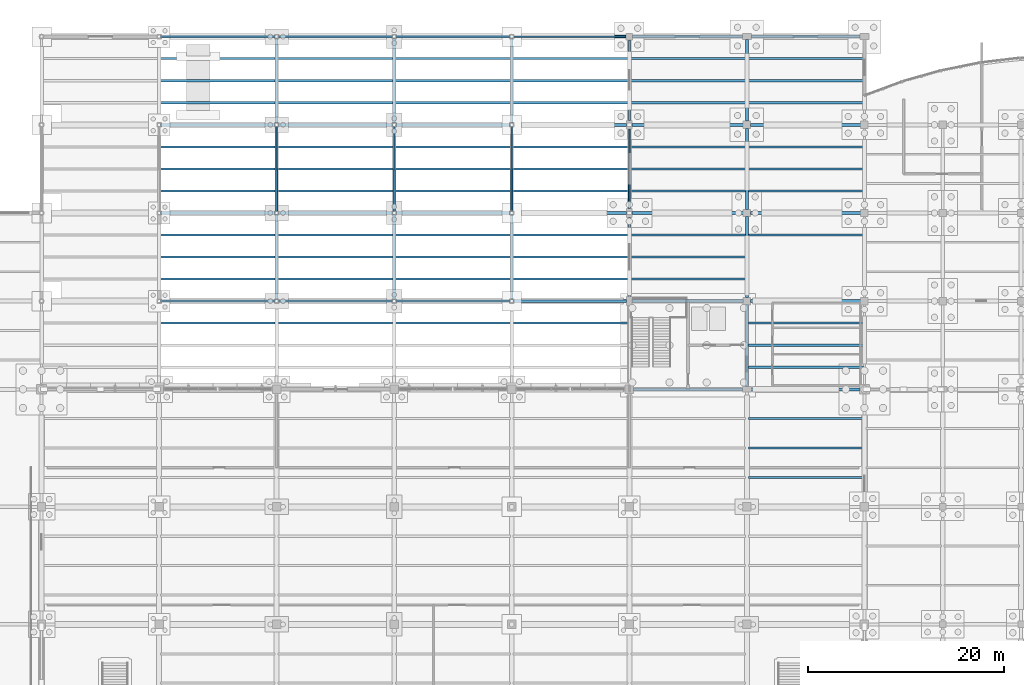
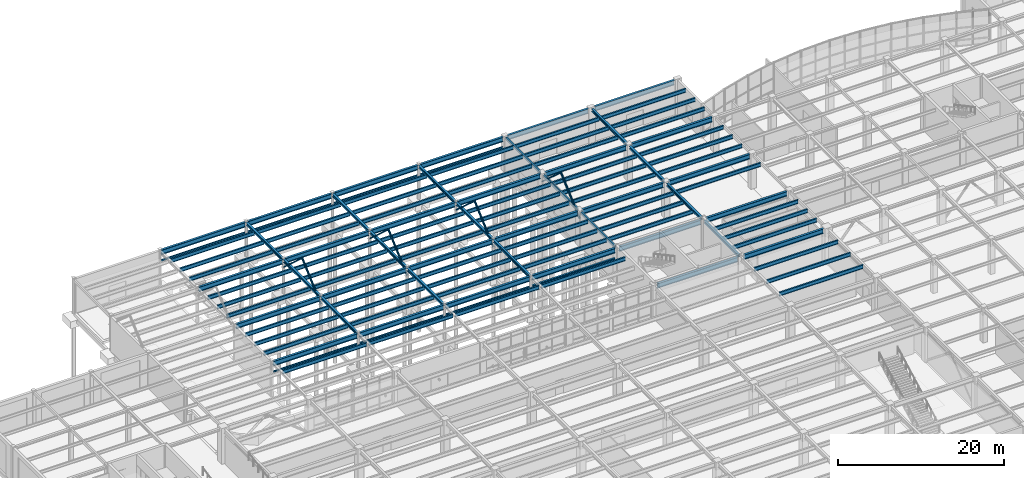
# One storey, part 40 of 85: 112 beams, 8 members.
"""IFC4 building model written with IfcOpenShell, lengths in metres."""

from ifc_helpers import new_model, si_unit, direction, frame, origin, origin_2d, place, context, subcontext, project, spatial, hollow_rectangle, hollow_circle, i_section, extrude, material, material_profile, profile_set, type_object, element, save


model = new_model("IFC4")

# Units and contexts
model_context = context("Model", 3, precision=1e-05, world=origin(), true_north=direction((0.0, 1.0)))
body_context = subcontext(model_context, "Body", "Model", "MODEL_VIEW")
ifc_project = project(units=[si_unit("LENGTHUNIT", "METRE"), si_unit("AREAUNIT", "SQUARE_METRE"), si_unit("VOLUMEUNIT", "CUBIC_METRE"), si_unit("PLANEANGLEUNIT", "RADIAN"), si_unit("MASSUNIT", "GRAM", prefix="KILO")], contexts=[model_context])

# Site, building, storey
site_placement = place(None, origin())
site = spatial("IfcSite", under=ifc_project, at=site_placement, CompositionType="ELEMENT")
building_placement = place(site_placement, origin())
building = spatial("IfcBuilding", under=site, at=building_placement, Name="Keelwater Ferry Terminal", CompositionType="ELEMENT")
storey_placement = place(building_placement, origin())
storey = spatial("IfcBuildingStorey", under=building, at=storey_placement, Name="L00", CompositionType="ELEMENT", Elevation=0.0)

# Beams
ifc_material_1 = material(Name="Steel S355", Category="steel")
ifc_material_profile_1 = material_profile(ifc_material_1, i_section(OverallWidth=0.300048828125, OverallDepth=0.699951171875, WebThickness=0.01708984375, FlangeThickness=0.031982421875, at=origin_2d()), Name="HEB 700")
ifc_profile_set_1 = profile_set([ifc_material_profile_1], Name="Steel S355")
beam_type_1 = type_object("IfcBeamType", Name="G2 HEB 700", PredefinedType="BEAM", material=ifc_profile_set_1)
for number, where, z_axis, x_axis, name in (
    (1, (60.1669921875, 117.0, 4.7099609375), (1.0, 0.0, 0.0), (0.0, 1.0, 0.0), "Beam BM-L00-0134"),
    (2, (72.1669921875, 117.0, 4.7099609375), (1.0, 0.0, 0.0), (0.0, 1.0, 0.0), "Beam BM-L00-0135"),
    (3, (84.1669921875, 117.0, 4.7099609375), (1.0, 0.0, 0.0), (0.0, 1.0, 0.0), "Beam BM-L00-0136"),
):
    element("IfcBeam", number, at=place(storey_placement, frame(where, z_axis=z_axis, x_axis=x_axis)), inside=storey, type_object=beam_type_1, Name=name, PredefinedType="BEAM", context=body_context, shape_type="SweptSolid", body=[
        extrude(i_section(OverallWidth=0.300048828125, OverallDepth=0.699951171875, WebThickness=0.01708984375, FlangeThickness=0.031982421875, at=origin_2d()), origin(), (0.0, 0.0, 1.0), 11.666015625),
    ])
beam_1_placement = place(storey_placement, frame((96.1669921875, 117.0, 4.7099609375), z_axis=(1.0, 0.0, 0.0), x_axis=(0.0, 1.0, 0.0)))
element("IfcBeam", 4, at=beam_1_placement, inside=storey, type_object=beam_type_1, Name="Beam BM-L00-0137", PredefinedType="BEAM", context=body_context, shape_type="SweptSolid", body=[
    extrude(i_section(OverallWidth=0.300048828125, OverallDepth=0.699951171875, WebThickness=0.01708984375, FlangeThickness=0.031982421875, at=origin_2d()), origin(), (0.0, 0.0, 1.0), 11.5390625),
])
beam_2_placement = place(storey_placement, frame((108.2939453125, 117.0, 4.7099609375), z_axis=(1.0, 0.0, 0.0), x_axis=(0.0, 1.0, 0.0)))
element("IfcBeam", 5, at=beam_2_placement, inside=storey, type_object=beam_type_1, Name="Beam BM-L00-0138", PredefinedType="BEAM", context=body_context, shape_type="SweptSolid", body=[
    extrude(i_section(OverallWidth=0.300048828125, OverallDepth=0.699951171875, WebThickness=0.01708984375, FlangeThickness=0.031982421875, at=origin_2d()), origin(), (0.0, 0.0, 1.0), 11.338134765625),
])
beam_3_placement = place(storey_placement, frame((120.367919921875, 117.0, 4.7099609375), z_axis=(1.0, 0.0, 0.0), x_axis=(0.0, 1.0, 0.0)))
element("IfcBeam", 6, at=beam_3_placement, inside=storey, type_object=beam_type_1, Name="Beam BM-L00-0139", PredefinedType="BEAM", context=body_context, shape_type="SweptSolid", body=[
    extrude(i_section(OverallWidth=0.300048828125, OverallDepth=0.699951171875, WebThickness=0.01708984375, FlangeThickness=0.031982421875, at=origin_2d()), origin(), (0.0, 0.0, 1.0), 11.26416015625),
])
ifc_material_2 = material(Name="Steel S355", Category="steel")
ifc_material_profile_2 = material_profile(ifc_material_2, i_section(OverallWidth=0.300048828125, OverallDepth=0.699951171875, WebThickness=0.01708984375, FlangeThickness=0.031982421875, at=origin_2d()), Name="HEB 700")
ifc_profile_set_2 = profile_set([ifc_material_profile_2], Name="Steel S355")
beam_type_2 = type_object("IfcBeamType", Name="G2E HEB 700", PredefinedType="BEAM", material=ifc_profile_set_2)
beam_4_placement = place(storey_placement, frame((108.416015625, 90.0, 4.7099609375), z_axis=(1.0, 0.0, 0.0), x_axis=(0.0, 1.0, 0.0)))
element("IfcBeam", 7, at=beam_4_placement, inside=storey, type_object=beam_type_2, Name="Beam BM-L00-0093", PredefinedType="BEAM", context=body_context, shape_type="SweptSolid", body=[
    extrude(i_section(OverallWidth=0.300048828125, OverallDepth=0.699951171875, WebThickness=0.01708984375, FlangeThickness=0.031982421875, at=origin_2d()), origin(), (0.0, 0.0, 1.0), 11.14306640625),
])
beam_5_placement = place(storey_placement, frame((120.44091796875, 90.0, 4.7099609375), z_axis=(1.0, 0.0, 0.0), x_axis=(0.0, 1.0, 0.0)))
element("IfcBeam", 8, at=beam_5_placement, inside=storey, type_object=beam_type_2, Name="Beam BM-L00-0094", PredefinedType="BEAM", context=body_context, shape_type="SweptSolid", body=[
    extrude(i_section(OverallWidth=0.300048828125, OverallDepth=0.699951171875, WebThickness=0.01708984375, FlangeThickness=0.031982421875, at=origin_2d()), origin(), (0.0, 0.0, 1.0), 11.069091796875),
])
for number, where, z_axis, x_axis, name in (
    (9, (60.1669921875, 99.0, 4.7099609375), (1.0, 0.0, 0.0), (0.0, 1.0, 0.0), "Beam BM-L00-0105"),
    (10, (72.1669921875, 99.0, 4.7099609375), (1.0, 0.0, 0.0), (0.0, 1.0, 0.0), "Beam BM-L00-0106"),
    (11, (84.1669921875, 99.0, 4.7099609375), (1.0, 0.0, 0.0), (0.0, 1.0, 0.0), "Beam BM-L00-0107"),
):
    element("IfcBeam", number, at=place(storey_placement, frame(where, z_axis=z_axis, x_axis=x_axis)), inside=storey, type_object=beam_type_2, Name=name, PredefinedType="BEAM", context=body_context, shape_type="SweptSolid", body=[
        extrude(i_section(OverallWidth=0.300048828125, OverallDepth=0.699951171875, WebThickness=0.01708984375, FlangeThickness=0.031982421875, at=origin_2d()), origin(), (0.0, 0.0, 1.0), 11.666015625),
    ])
beam_6_placement = place(storey_placement, frame((96.1669921875, 99.0, 4.7099609375), z_axis=(1.0, 0.0, 0.0), x_axis=(0.0, 1.0, 0.0)))
element("IfcBeam", 12, at=beam_6_placement, inside=storey, type_object=beam_type_2, Name="Beam BM-L00-0108", PredefinedType="BEAM", context=body_context, shape_type="SweptSolid", body=[
    extrude(i_section(OverallWidth=0.300048828125, OverallDepth=0.699951171875, WebThickness=0.01708984375, FlangeThickness=0.031982421875, at=origin_2d()), origin(), (0.0, 0.0, 1.0), 11.5390625),
])
beam_7_placement = place(storey_placement, frame((108.2939453125, 99.0, 4.7099609375), z_axis=(1.0, 0.0, 0.0), x_axis=(0.0, 1.0, 0.0)))
element("IfcBeam", 13, at=beam_7_placement, inside=storey, type_object=beam_type_2, Name="Beam BM-L00-0109", PredefinedType="BEAM", context=body_context, shape_type="SweptSolid", body=[
    extrude(i_section(OverallWidth=0.300048828125, OverallDepth=0.699951171875, WebThickness=0.01708984375, FlangeThickness=0.031982421875, at=origin_2d()), origin(), (0.0, 0.0, 1.0), 11.338134765625),
])
beam_8_placement = place(storey_placement, frame((120.367919921875, 99.0, 4.7099609375), z_axis=(1.0, 0.0, 0.0), x_axis=(0.0, 1.0, 0.0)))
element("IfcBeam", 14, at=beam_8_placement, inside=storey, type_object=beam_type_2, Name="Beam BM-L00-0110", PredefinedType="BEAM", context=body_context, shape_type="SweptSolid", body=[
    extrude(i_section(OverallWidth=0.300048828125, OverallDepth=0.699951171875, WebThickness=0.01708984375, FlangeThickness=0.031982421875, at=origin_2d()), origin(), (0.0, 0.0, 1.0), 11.26416015625),
])
for number, where, z_axis, x_axis, name in (
    (15, (60.1669921875, 108.0, 4.7099609375), (1.0, 0.0, 0.0), (0.0, 1.0, 0.0), "Beam BM-L00-0121"),
    (16, (72.1669921875, 108.0, 4.7099609375), (1.0, 0.0, 0.0), (0.0, 1.0, 0.0), "Beam BM-L00-0122"),
    (17, (84.1669921875, 108.0, 4.7099609375), (1.0, 0.0, 0.0), (0.0, 1.0, 0.0), "Beam BM-L00-0123"),
):
    element("IfcBeam", number, at=place(storey_placement, frame(where, z_axis=z_axis, x_axis=x_axis)), inside=storey, type_object=beam_type_2, Name=name, PredefinedType="BEAM", context=body_context, shape_type="SweptSolid", body=[
        extrude(i_section(OverallWidth=0.300048828125, OverallDepth=0.699951171875, WebThickness=0.01708984375, FlangeThickness=0.031982421875, at=origin_2d()), origin(), (0.0, 0.0, 1.0), 11.666015625),
    ])
beam_9_placement = place(storey_placement, frame((96.1669921875, 108.0, 4.7099609375), z_axis=(1.0, 0.0, 0.0), x_axis=(0.0, 1.0, 0.0)))
element("IfcBeam", 18, at=beam_9_placement, inside=storey, type_object=beam_type_2, Name="Beam BM-L00-0124", PredefinedType="BEAM", context=body_context, shape_type="SweptSolid", body=[
    extrude(i_section(OverallWidth=0.300048828125, OverallDepth=0.699951171875, WebThickness=0.01708984375, FlangeThickness=0.031982421875, at=origin_2d()), origin(), (0.0, 0.0, 1.0), 11.5390625),
])
beam_10_placement = place(storey_placement, frame((108.2939453125, 108.0, 4.7099609375), z_axis=(1.0, 0.0, 0.0), x_axis=(0.0, 1.0, 0.0)))
element("IfcBeam", 19, at=beam_10_placement, inside=storey, type_object=beam_type_2, Name="Beam BM-L00-0125", PredefinedType="BEAM", context=body_context, shape_type="SweptSolid", body=[
    extrude(i_section(OverallWidth=0.300048828125, OverallDepth=0.699951171875, WebThickness=0.01708984375, FlangeThickness=0.031982421875, at=origin_2d()), origin(), (0.0, 0.0, 1.0), 11.338134765625),
])
beam_11_placement = place(storey_placement, frame((120.367919921875, 108.0, 4.7099609375), z_axis=(1.0, 0.0, 0.0), x_axis=(0.0, 1.0, 0.0)))
element("IfcBeam", 20, at=beam_11_placement, inside=storey, type_object=beam_type_2, Name="Beam BM-L00-0126", PredefinedType="BEAM", context=body_context, shape_type="SweptSolid", body=[
    extrude(i_section(OverallWidth=0.300048828125, OverallDepth=0.699951171875, WebThickness=0.01708984375, FlangeThickness=0.031982421875, at=origin_2d()), origin(), (0.0, 0.0, 1.0), 11.26416015625),
])
for number, where, z_axis, x_axis, name in (
    (21, (60.1669921875, 126.0, 4.7099609375), (1.0, 0.0, 0.0), (0.0, 1.0, 0.0), "Beam BM-L00-0147"),
    (22, (72.1669921875, 126.0, 4.7099609375), (1.0, 0.0, 0.0), (0.0, 1.0, 0.0), "Beam BM-L00-0148"),
    (23, (84.1669921875, 126.0, 4.7099609375), (1.0, 0.0, 0.0), (0.0, 1.0, 0.0), "Beam BM-L00-0149"),
):
    element("IfcBeam", number, at=place(storey_placement, frame(where, z_axis=z_axis, x_axis=x_axis)), inside=storey, type_object=beam_type_2, Name=name, PredefinedType="BEAM", context=body_context, shape_type="SweptSolid", body=[
        extrude(i_section(OverallWidth=0.300048828125, OverallDepth=0.699951171875, WebThickness=0.01708984375, FlangeThickness=0.031982421875, at=origin_2d()), origin(), (0.0, 0.0, 1.0), 11.666015625),
    ])
beam_12_placement = place(storey_placement, frame((96.1669921875, 126.0, 4.7099609375), z_axis=(1.0, 0.0, 0.0), x_axis=(0.0, 1.0, 0.0)))
element("IfcBeam", 24, at=beam_12_placement, inside=storey, type_object=beam_type_2, Name="Beam BM-L00-0150", PredefinedType="BEAM", context=body_context, shape_type="SweptSolid", body=[
    extrude(i_section(OverallWidth=0.300048828125, OverallDepth=0.699951171875, WebThickness=0.01708984375, FlangeThickness=0.031982421875, at=origin_2d()), origin(), (0.0, 0.0, 1.0), 11.514892578125),
])
beam_13_placement = place(storey_placement, frame((108.318115234375, 126.0, 4.7099609375), z_axis=(1.0, 0.0, 0.0), x_axis=(0.0, 1.0, 0.0)))
element("IfcBeam", 25, at=beam_13_placement, inside=storey, type_object=beam_type_2, Name="Beam BM-L00-0151", PredefinedType="BEAM", context=body_context, shape_type="SweptSolid", body=[
    extrude(i_section(OverallWidth=0.300048828125, OverallDepth=0.699951171875, WebThickness=0.01708984375, FlangeThickness=0.031982421875, at=origin_2d()), origin(), (0.0, 0.0, 1.0), 11.240966796875),
])
beam_14_placement = place(storey_placement, frame((120.44091796875, 126.0, 4.7099609375), z_axis=(1.0, 0.0, 0.0), x_axis=(0.0, 1.0, 0.0)))
element("IfcBeam", 26, at=beam_14_placement, inside=storey, type_object=beam_type_2, Name="Beam BM-L00-0152", PredefinedType="BEAM", context=body_context, shape_type="SweptSolid", body=[
    extrude(i_section(OverallWidth=0.300048828125, OverallDepth=0.699951171875, WebThickness=0.01708984375, FlangeThickness=0.031982421875, at=origin_2d()), origin(), (0.0, 0.0, 1.0), 11.1181640625),
])
ifc_material_3 = material(Name="Steel S355", Category="steel")
ifc_material_profile_3 = material_profile(ifc_material_3, i_section(OverallWidth=0.300048828125, OverallDepth=0.39990234375, WebThickness=0.013427734375, FlangeThickness=0.02392578125, at=origin_2d()), Name="HEB 400")
ifc_profile_set_3 = profile_set([ifc_material_profile_3], Name="Steel S355")
beam_type_3 = type_object("IfcBeamType", Name="G7 HEB 400", PredefinedType="BEAM", material=ifc_profile_set_3)
for number, where, z_axis, x_axis, name in (
    (27, (72.0, 99.1669921875, 4.860107421875), (0.0, 1.0, 0.0), (-1.0, 0.0, 0.0), "Beam BM-L00-0209"),
    (28, (72.0, 108.1669921875, 4.860107421875), (0.0, 1.0, 0.0), (-1.0, 0.0, 0.0), "Beam BM-L00-0210"),
    (29, (72.0, 117.1669921875, 4.860107421875), (0.0, 1.0, 0.0), (-1.0, 0.0, 0.0), "Beam BM-L00-0211"),
    (30, (84.0, 99.1669921875, 4.860107421875), (0.0, 1.0, 0.0), (-1.0, 0.0, 0.0), "Beam BM-L00-0217"),
    (31, (84.0, 108.1669921875, 4.860107421875), (0.0, 1.0, 0.0), (-1.0, 0.0, 0.0), "Beam BM-L00-0218"),
    (32, (84.0, 117.1669921875, 4.860107421875), (0.0, 1.0, 0.0), (-1.0, 0.0, 0.0), "Beam BM-L00-0219"),
    (33, (96.0, 99.1669921875, 4.860107421875), (0.0, 1.0, 0.0), (-1.0, 0.0, 0.0), "Beam BM-L00-0225"),
    (34, (96.0, 108.1669921875, 4.860107421875), (0.0, 1.0, 0.0), (-1.0, 0.0, 0.0), "Beam BM-L00-0226"),
    (35, (96.0, 117.1669921875, 4.860107421875), (0.0, 1.0, 0.0), (-1.0, 0.0, 0.0), "Beam BM-L00-0227"),
):
    element("IfcBeam", number, at=place(storey_placement, frame(where, z_axis=z_axis, x_axis=x_axis)), inside=storey, type_object=beam_type_3, Name=name, PredefinedType="BEAM", context=body_context, shape_type="SweptSolid", body=[
        extrude(i_section(OverallWidth=0.300048828125, OverallDepth=0.39990234375, WebThickness=0.013427734375, FlangeThickness=0.02392578125, at=origin_2d()), origin(), (0.0, 0.0, 1.0), 8.666015625),
    ])
beam_15_placement = place(storey_placement, frame((120.0, 90.2939453125, 4.860107421875), z_axis=(0.0, 1.0, 0.0), x_axis=(-1.0, 0.0, 0.0)))
element("IfcBeam", 36, at=beam_15_placement, inside=storey, type_object=beam_type_3, Name="Beam BM-L00-0240", PredefinedType="BEAM", context=body_context, shape_type="SweptSolid", body=[
    extrude(i_section(OverallWidth=0.300048828125, OverallDepth=0.39990234375, WebThickness=0.013427734375, FlangeThickness=0.02392578125, at=origin_2d()), origin(), (0.0, 0.0, 1.0), 8.338134765625),
])
for number, where, z_axis, x_axis, name in (
    (37, (120.0, 99.367919921875, 4.860107421875), (0.0, 1.0, 0.0), (-1.0, 0.0, 0.0), "Beam BM-L00-0241"),
    (38, (120.0, 108.367919921875, 4.860107421875), (0.0, 1.0, 0.0), (-1.0, 0.0, 0.0), "Beam BM-L00-0242"),
):
    element("IfcBeam", number, at=place(storey_placement, frame(where, z_axis=z_axis, x_axis=x_axis)), inside=storey, type_object=beam_type_3, Name=name, PredefinedType="BEAM", context=body_context, shape_type="SweptSolid", body=[
        extrude(i_section(OverallWidth=0.300048828125, OverallDepth=0.39990234375, WebThickness=0.013427734375, FlangeThickness=0.02392578125, at=origin_2d()), origin(), (0.0, 0.0, 1.0), 8.26416015625),
    ])
beam_16_placement = place(storey_placement, frame((120.0, 117.367919921875, 4.860107421875), z_axis=(0.0, 1.0, 0.0), x_axis=(-1.0, 0.0, 0.0)))
element("IfcBeam", 39, at=beam_16_placement, inside=storey, type_object=beam_type_3, Name="Beam BM-L00-0243", PredefinedType="BEAM", context=body_context, shape_type="SweptSolid", body=[
    extrude(i_section(OverallWidth=0.300048828125, OverallDepth=0.39990234375, WebThickness=0.013427734375, FlangeThickness=0.02392578125, at=origin_2d()), origin(), (0.0, 0.0, 1.0), 8.338134765625),
])
ifc_material_4 = material(Name="Steel S355", Category="steel")
ifc_material_profile_4 = material_profile(ifc_material_4, i_section(OverallWidth=0.2099609375, OverallDepth=0.550048828125, WebThickness=0.010986328125, FlangeThickness=0.01708984375, at=origin_2d()), Name="IPE 550")
ifc_profile_set_4 = profile_set([ifc_material_profile_4], Name="Steel S355")
beam_type_4 = type_object("IfcBeamType", Name="J2 IPE 550", PredefinedType="JOIST", material=ifc_profile_set_4)
for number, where, z_axis, x_axis, name in (
    (40, (60.14990234375, 96.75, 4.784912109375), (1.0, 0.0, 0.0), (0.0, 1.0, 0.0), "Beam BM-L00-0380"),
    (41, (60.14990234375, 101.25, 4.784912109375), (1.0, 0.0, 0.0), (0.0, 1.0, 0.0), "Beam BM-L00-0381"),
    (42, (60.14990234375, 103.5, 4.784912109375), (1.0, 0.0, 0.0), (0.0, 1.0, 0.0), "Beam BM-L00-0382"),
    (43, (60.14990234375, 105.75, 4.784912109375), (1.0, 0.0, 0.0), (0.0, 1.0, 0.0), "Beam BM-L00-0383"),
    (44, (60.14990234375, 110.25, 4.784912109375), (1.0, 0.0, 0.0), (0.0, 1.0, 0.0), "Beam BM-L00-0384"),
    (45, (60.14990234375, 112.5, 4.784912109375), (1.0, 0.0, 0.0), (0.0, 1.0, 0.0), "Beam BM-L00-0385"),
    (46, (60.14990234375, 114.75, 4.784912109375), (1.0, 0.0, 0.0), (0.0, 1.0, 0.0), "Beam BM-L00-0386"),
    (47, (60.14990234375, 119.25, 4.784912109375), (1.0, 0.0, 0.0), (0.0, 1.0, 0.0), "Beam BM-L00-0387"),
    (48, (60.14990234375, 121.5, 4.784912109375), (1.0, 0.0, 0.0), (0.0, 1.0, 0.0), "Beam BM-L00-0388"),
    (49, (60.14990234375, 123.75, 4.784912109375), (1.0, 0.0, 0.0), (0.0, 1.0, 0.0), "Beam BM-L00-0389"),
    (50, (72.14990234375, 96.75, 4.784912109375), (1.0, 0.0, 0.0), (0.0, 1.0, 0.0), "Beam BM-L00-0404"),
    (51, (72.14990234375, 101.25, 4.784912109375), (1.0, 0.0, 0.0), (0.0, 1.0, 0.0), "Beam BM-L00-0405"),
    (52, (72.14990234375, 103.5, 4.784912109375), (1.0, 0.0, 0.0), (0.0, 1.0, 0.0), "Beam BM-L00-0406"),
    (53, (72.14990234375, 105.75, 4.784912109375), (1.0, 0.0, 0.0), (0.0, 1.0, 0.0), "Beam BM-L00-0407"),
    (54, (72.14990234375, 110.25, 4.784912109375), (1.0, 0.0, 0.0), (0.0, 1.0, 0.0), "Beam BM-L00-0408"),
    (55, (72.14990234375, 112.5, 4.784912109375), (1.0, 0.0, 0.0), (0.0, 1.0, 0.0), "Beam BM-L00-0409"),
    (56, (72.14990234375, 114.75, 4.784912109375), (1.0, 0.0, 0.0), (0.0, 1.0, 0.0), "Beam BM-L00-0410"),
    (57, (72.14990234375, 119.25, 4.784912109375), (1.0, 0.0, 0.0), (0.0, 1.0, 0.0), "Beam BM-L00-0411"),
    (58, (72.14990234375, 121.5, 4.784912109375), (1.0, 0.0, 0.0), (0.0, 1.0, 0.0), "Beam BM-L00-0412"),
    (59, (72.14990234375, 123.75, 4.784912109375), (1.0, 0.0, 0.0), (0.0, 1.0, 0.0), "Beam BM-L00-0413"),
    (60, (84.14990234375, 96.75, 4.784912109375), (1.0, 0.0, 0.0), (0.0, 1.0, 0.0), "Beam BM-L00-0428"),
    (61, (84.14990234375, 101.25, 4.784912109375), (1.0, 0.0, 0.0), (0.0, 1.0, 0.0), "Beam BM-L00-0429"),
    (62, (84.14990234375, 103.5, 4.784912109375), (1.0, 0.0, 0.0), (0.0, 1.0, 0.0), "Beam BM-L00-0430"),
    (63, (84.14990234375, 105.75, 4.784912109375), (1.0, 0.0, 0.0), (0.0, 1.0, 0.0), "Beam BM-L00-0431"),
    (64, (84.14990234375, 110.25, 4.784912109375), (1.0, 0.0, 0.0), (0.0, 1.0, 0.0), "Beam BM-L00-0432"),
    (65, (84.14990234375, 112.5, 4.784912109375), (1.0, 0.0, 0.0), (0.0, 1.0, 0.0), "Beam BM-L00-0433"),
    (66, (84.14990234375, 114.75, 4.784912109375), (1.0, 0.0, 0.0), (0.0, 1.0, 0.0), "Beam BM-L00-0434"),
    (67, (84.14990234375, 119.25, 4.784912109375), (1.0, 0.0, 0.0), (0.0, 1.0, 0.0), "Beam BM-L00-0435"),
    (68, (84.14990234375, 121.5, 4.784912109375), (1.0, 0.0, 0.0), (0.0, 1.0, 0.0), "Beam BM-L00-0436"),
    (69, (84.14990234375, 123.75, 4.784912109375), (1.0, 0.0, 0.0), (0.0, 1.0, 0.0), "Beam BM-L00-0437"),
):
    element("IfcBeam", number, at=place(storey_placement, frame(where, z_axis=z_axis, x_axis=x_axis)), inside=storey, type_object=beam_type_4, Name=name, PredefinedType="JOIST", context=body_context, shape_type="SweptSolid", body=[
        extrude(i_section(OverallWidth=0.2099609375, OverallDepth=0.550048828125, WebThickness=0.010986328125, FlangeThickness=0.01708984375, at=origin_2d()), origin(), (0.0, 0.0, 1.0), 11.7001953125),
    ])
for number, where, z_axis, x_axis, name in (
    (70, (96.14990234375, 96.75, 4.784912109375), (1.0, 0.0, 0.0), (0.0, 1.0, 0.0), "Beam BM-L00-0452"),
    (71, (96.14990234375, 101.25, 4.784912109375), (1.0, 0.0, 0.0), (0.0, 1.0, 0.0), "Beam BM-L00-0453"),
    (72, (96.14990234375, 103.5, 4.784912109375), (1.0, 0.0, 0.0), (0.0, 1.0, 0.0), "Beam BM-L00-0454"),
    (73, (96.14990234375, 105.75, 4.784912109375), (1.0, 0.0, 0.0), (0.0, 1.0, 0.0), "Beam BM-L00-0455"),
    (74, (96.14990234375, 110.25, 4.784912109375), (1.0, 0.0, 0.0), (0.0, 1.0, 0.0), "Beam BM-L00-0456"),
    (75, (96.14990234375, 112.5, 4.784912109375), (1.0, 0.0, 0.0), (0.0, 1.0, 0.0), "Beam BM-L00-0457"),
    (76, (96.14990234375, 114.75, 4.784912109375), (1.0, 0.0, 0.0), (0.0, 1.0, 0.0), "Beam BM-L00-0458"),
    (77, (96.14990234375, 119.25, 4.784912109375), (1.0, 0.0, 0.0), (0.0, 1.0, 0.0), "Beam BM-L00-0459"),
    (78, (96.14990234375, 121.5, 4.784912109375), (1.0, 0.0, 0.0), (0.0, 1.0, 0.0), "Beam BM-L00-0460"),
    (79, (96.14990234375, 123.75, 4.784912109375), (1.0, 0.0, 0.0), (0.0, 1.0, 0.0), "Beam BM-L00-0461"),
    (80, (108.10009765625, 101.25, 4.784912109375), (1.0, 0.0, 0.0), (0.0, 1.0, 0.0), "Beam BM-L00-0474"),
    (81, (108.10009765625, 103.5, 4.784912109375), (1.0, 0.0, 0.0), (0.0, 1.0, 0.0), "Beam BM-L00-0475"),
    (82, (108.10009765625, 105.75, 4.784912109375), (1.0, 0.0, 0.0), (0.0, 1.0, 0.0), "Beam BM-L00-0476"),
    (83, (108.10009765625, 110.25, 4.784912109375), (1.0, 0.0, 0.0), (0.0, 1.0, 0.0), "Beam BM-L00-0477"),
    (84, (108.10009765625, 112.5, 4.784912109375), (1.0, 0.0, 0.0), (0.0, 1.0, 0.0), "Beam BM-L00-0478"),
    (85, (108.10009765625, 114.75, 4.784912109375), (1.0, 0.0, 0.0), (0.0, 1.0, 0.0), "Beam BM-L00-0479"),
    (86, (108.10009765625, 119.25, 4.784912109375), (1.0, 0.0, 0.0), (0.0, 1.0, 0.0), "Beam BM-L00-0480"),
    (87, (108.10009765625, 121.5, 4.784912109375), (1.0, 0.0, 0.0), (0.0, 1.0, 0.0), "Beam BM-L00-0481"),
    (88, (108.10009765625, 123.75, 4.784912109375), (1.0, 0.0, 0.0), (0.0, 1.0, 0.0), "Beam BM-L00-0482"),
):
    element("IfcBeam", number, at=place(storey_placement, frame(where, z_axis=z_axis, x_axis=x_axis)), inside=storey, type_object=beam_type_4, Name=name, PredefinedType="JOIST", context=body_context, shape_type="SweptSolid", body=[
        extrude(i_section(OverallWidth=0.2099609375, OverallDepth=0.550048828125, WebThickness=0.010986328125, FlangeThickness=0.01708984375, at=origin_2d()), origin(), (0.0, 0.0, 1.0), 11.75),
    ])
for number, where, z_axis, x_axis, name in (
    (89, (120.14990234375, 81.0, 4.784912109375), (1.0, 0.0, 0.0), (0.0, 1.0, 0.0), "Beam BM-L00-0488"),
    (90, (120.14990234375, 84.0, 4.784912109375), (1.0, 0.0, 0.0), (0.0, 1.0, 0.0), "Beam BM-L00-0489"),
    (91, (120.14990234375, 87.0, 4.784912109375), (1.0, 0.0, 0.0), (0.0, 1.0, 0.0), "Beam BM-L00-0490"),
):
    element("IfcBeam", number, at=place(storey_placement, frame(where, z_axis=z_axis, x_axis=x_axis)), inside=storey, type_object=beam_type_4, Name=name, PredefinedType="JOIST", context=body_context, shape_type="SweptSolid", body=[
        extrude(i_section(OverallWidth=0.2099609375, OverallDepth=0.550048828125, WebThickness=0.010986328125, FlangeThickness=0.01708984375, at=origin_2d()), origin(), (0.0, 0.0, 1.0), 11.7001953125),
    ])
for number, where, z_axis, x_axis, name in (
    (92, (120.14990234375, 92.25, 4.784912109375), (1.0, 0.0, 0.0), (0.0, 1.0, 0.0), "Beam BM-L00-0491"),
    (93, (120.14990234375, 94.5, 4.784912109375), (1.0, 0.0, 0.0), (0.0, 1.0, 0.0), "Beam BM-L00-0492"),
    (94, (120.14990234375, 96.75, 4.784912109375), (1.0, 0.0, 0.0), (0.0, 1.0, 0.0), "Beam BM-L00-0493"),
    (95, (120.14990234375, 105.75, 4.784912109375), (1.0, 0.0, 0.0), (0.0, 1.0, 0.0), "Beam BM-L00-0494"),
    (96, (120.14990234375, 110.25, 4.784912109375), (1.0, 0.0, 0.0), (0.0, 1.0, 0.0), "Beam BM-L00-0495"),
    (97, (120.14990234375, 112.5, 4.784912109375), (1.0, 0.0, 0.0), (0.0, 1.0, 0.0), "Beam BM-L00-0496"),
    (98, (120.14990234375, 114.75, 4.784912109375), (1.0, 0.0, 0.0), (0.0, 1.0, 0.0), "Beam BM-L00-0497"),
    (99, (120.14990234375, 119.25, 4.784912109375), (1.0, 0.0, 0.0), (0.0, 1.0, 0.0), "Beam BM-L00-0498"),
    (100, (120.14990234375, 121.5, 4.784912109375), (1.0, 0.0, 0.0), (0.0, 1.0, 0.0), "Beam BM-L00-0499"),
    (101, (120.14990234375, 123.75, 4.784912109375), (1.0, 0.0, 0.0), (0.0, 1.0, 0.0), "Beam BM-L00-0500"),
):
    element("IfcBeam", number, at=place(storey_placement, frame(where, z_axis=z_axis, x_axis=x_axis)), inside=storey, type_object=beam_type_4, Name=name, PredefinedType="JOIST", context=body_context, shape_type="SweptSolid", body=[
        extrude(i_section(OverallWidth=0.2099609375, OverallDepth=0.550048828125, WebThickness=0.010986328125, FlangeThickness=0.01708984375, at=origin_2d()), origin(), (0.0, 0.0, 1.0), 11.75),
    ])
ifc_material_5 = material(Name="Steel S355", Category="steel")
ifc_material_profile_5 = material_profile(ifc_material_5, i_section(OverallWidth=0.135009765625, OverallDepth=0.27001953125, WebThickness=0.006591796875, FlangeThickness=0.01025390625, at=origin_2d()), Name="IPE 270")
ifc_profile_set_5 = profile_set([ifc_material_profile_5], Name="Steel S355")
beam_type_5 = type_object("IfcBeamType", Name="LN1E IPE 270", PredefinedType="LINTEL", material=ifc_profile_set_5)
for number, where, z_axis, x_axis, name in (
    (102, (60.1669921875, 126.0, 3.465087890625), (1.0, 0.0, 0.0), (0.0, 1.0, 0.0), "Beam BM-L00-1649"),
    (103, (72.1669921875, 126.0, 3.465087890625), (1.0, 0.0, 0.0), (0.0, 1.0, 0.0), "Beam BM-L00-1651"),
    (104, (84.1669921875, 126.0, 3.465087890625), (1.0, 0.0, 0.0), (0.0, 1.0, 0.0), "Beam BM-L00-1653"),
):
    element("IfcBeam", number, at=place(storey_placement, frame(where, z_axis=z_axis, x_axis=x_axis)), inside=storey, type_object=beam_type_5, Name=name, PredefinedType="LINTEL", context=body_context, shape_type="SweptSolid", body=[
        extrude(i_section(OverallWidth=0.135009765625, OverallDepth=0.27001953125, WebThickness=0.006591796875, FlangeThickness=0.01025390625, at=origin_2d()), origin(), (0.0, 0.0, 1.0), 11.666015625),
    ])
beam_17_placement = place(storey_placement, frame((96.1669921875, 126.0, 3.465087890625), z_axis=(1.0, 0.0, 0.0), x_axis=(0.0, 1.0, 0.0)))
element("IfcBeam", 105, at=beam_17_placement, inside=storey, type_object=beam_type_5, Name="Beam BM-L00-1655", PredefinedType="LINTEL", context=body_context, shape_type="SweptSolid", body=[
    extrude(i_section(OverallWidth=0.135009765625, OverallDepth=0.27001953125, WebThickness=0.006591796875, FlangeThickness=0.01025390625, at=origin_2d()), origin(), (0.0, 0.0, 1.0), 11.514892578125),
])
ifc_material_6 = material(Name="Steel S355", Category="steel")
ifc_material_profile_6 = material_profile(ifc_material_6, i_section(OverallWidth=0.1201171875, OverallDepth=0.239990234375, WebThickness=0.006103515625, FlangeThickness=0.009765625, at=origin_2d()), Name="IPE 240")
ifc_profile_set_6 = profile_set([ifc_material_profile_6], Name="Steel S355")
beam_type_6 = type_object("IfcBeamType", Name="LN2E IPE 240", PredefinedType="LINTEL", material=ifc_profile_set_6)
for number, where, z_axis, x_axis, name in (
    (106, (60.1669921875, 99.0, 3.47998046875), (1.0, 0.0, 0.0), (0.0, 1.0, 0.0), "Beam BM-L00-1650"),
    (107, (72.1669921875, 99.0, 3.47998046875), (1.0, 0.0, 0.0), (0.0, 1.0, 0.0), "Beam BM-L00-1652"),
    (108, (84.1669921875, 99.0, 3.47998046875), (1.0, 0.0, 0.0), (0.0, 1.0, 0.0), "Beam BM-L00-1654"),
):
    element("IfcBeam", number, at=place(storey_placement, frame(where, z_axis=z_axis, x_axis=x_axis)), inside=storey, type_object=beam_type_6, Name=name, PredefinedType="LINTEL", context=body_context, shape_type="SweptSolid", body=[
        extrude(i_section(OverallWidth=0.1201171875, OverallDepth=0.239990234375, WebThickness=0.006103515625, FlangeThickness=0.009765625, at=origin_2d()), origin(), (0.0, 0.0, 1.0), 11.666015625),
    ])
ifc_material_7 = material(Name="Steel S355", Category="steel")
ifc_material_profile_7 = material_profile(ifc_material_7, i_section(OverallWidth=0.239990234375, OverallDepth=0.22998046875, WebThickness=0.007568359375, FlangeThickness=0.011962890625, FilletRadius=0.02099609375, at=origin_2d()), Name="HEA 240")
ifc_profile_set_7 = profile_set([ifc_material_profile_7], Name="Steel S355")
beam_type_7 = type_object("IfcBeamType", Name="LN3E HEA 240", PredefinedType="LINTEL", material=ifc_profile_set_7)
beam_18_placement = place(storey_placement, frame((96.1669921875, 99.0, 3.485107421875), z_axis=(1.0, 0.0, 0.0), x_axis=(0.0, 1.0, 0.0)))
element("IfcBeam", 109, at=beam_18_placement, inside=storey, type_object=beam_type_7, Name="Beam BM-L00-1656", PredefinedType="LINTEL", context=body_context, shape_type="SweptSolid", body=[
    extrude(i_section(OverallWidth=0.239990234375, OverallDepth=0.22998046875, WebThickness=0.007568359375, FlangeThickness=0.011962890625, FilletRadius=0.02099609375, at=origin_2d()), origin(), (0.0, 0.0, 1.0), 11.5390625),
])
ifc_material_8 = material(Name="Steel S355", Category="steel")
ifc_material_profile_8 = material_profile(ifc_material_8, hollow_rectangle(XDim=0.199951171875, YDim=0.39990234375, WallThickness=0.01611328125, at=origin_2d()), Name="RHS 400x200x16")
ifc_profile_set_8 = profile_set([ifc_material_profile_8], Name="Steel S355")
beam_type_8 = type_object("IfcBeamType", Name="SP3E RHS 400x200x16", PredefinedType="SPANDREL", material=ifc_profile_set_8)
for number, where, z_axis, x_axis, name in (
    (110, (108.0, 99.44091796875, 4.860107421875), (0.0, 1.0, 0.0), (-1.0, 0.0, 0.0), "Beam BM-L00-0233"),
    (111, (108.0, 108.44091796875, 4.860107421875), (0.0, 1.0, 0.0), (-1.0, 0.0, 0.0), "Beam BM-L00-0234"),
):
    element("IfcBeam", number, at=place(storey_placement, frame(where, z_axis=z_axis, x_axis=x_axis)), inside=storey, type_object=beam_type_8, Name=name, PredefinedType="SPANDREL", context=body_context, shape_type="SweptSolid", body=[
        extrude(hollow_rectangle(XDim=0.199951171875, YDim=0.39990234375, WallThickness=0.01611328125, at=origin_2d()), origin(), (0.0, 0.0, 1.0), 8.1181640625),
    ])
beam_19_placement = place(storey_placement, frame((108.0, 117.44091796875, 4.860107421875), z_axis=(0.0, 1.0, 0.0), x_axis=(-1.0, 0.0, 0.0)))
element("IfcBeam", 112, at=beam_19_placement, inside=storey, type_object=beam_type_8, Name="Beam BM-L00-0235", PredefinedType="SPANDREL", context=body_context, shape_type="SweptSolid", body=[
    extrude(hollow_rectangle(XDim=0.199951171875, YDim=0.39990234375, WallThickness=0.01611328125, at=origin_2d()), origin(), (0.0, 0.0, 1.0), 8.240966796875),
])

# Members
ifc_material_9 = material(Name="Steel S355", Category="steel")
ifc_material_profile_9 = material_profile(ifc_material_9, hollow_circle(Radius=0.136474609375, WallThickness=0.012451171875, at=origin_2d()), Name="CHS 273x12.5")
ifc_profile_set_9 = profile_set([ifc_material_profile_9], Name="Steel S355")
member_type_1 = type_object("IfcMemberType", Name="ST1E CHS 273x12.5", PredefinedType="STRUT", material=ifc_profile_set_9)
for number, where, z_axis, x_axis, name in (
    (113, (72.0, 108.0, 3.800048828125), (0.0, 0.743290135906, 0.66896918753), (-1.0, 0.0, 0.0), "Structural Member MB-L00-0494"),
    (114, (84.0, 108.0, 3.800048828125), (0.0, 0.743290135906, 0.66896918753), (-1.0, 0.0, 0.0), "Structural Member MB-L00-0498"),
    (115, (96.0, 108.0, 3.800048828125), (0.0, 0.743290135906, 0.66896918753), (-1.0, 0.0, 0.0), "Structural Member MB-L00-0502"),
    (116, (108.0, 108.0, 3.800048828125), (0.0, 0.743290135906, 0.66896918753), (-1.0, 0.0, 0.0), "Structural Member MB-L00-0506"),
):
    element("IfcMember", number, at=place(storey_placement, frame(where, z_axis=z_axis, x_axis=x_axis)), inside=storey, type_object=member_type_1, Name=name, PredefinedType="STRUT", context=body_context, shape_type="SweptSolid", body=[
        extrude(hollow_circle(Radius=0.136474609375, WallThickness=0.012451171875, at=origin_2d()), origin(), (0.0, 0.0, 1.0), 6.05419921875),
    ])
ifc_material_10 = material(Name="Steel S355", Category="steel")
ifc_material_profile_10 = material_profile(ifc_material_10, hollow_circle(Radius=0.096923828125, WallThickness=0.010009765625, at=origin_2d()), Name="CHS 193.7x10")
ifc_profile_set_10 = profile_set([ifc_material_profile_10], Name="Steel S355")
member_type_2 = type_object("IfcMemberType", Name="ST2E CHS 193.7x10", PredefinedType="STRUT", material=ifc_profile_set_10)
for number, where, z_axis, x_axis, name in (
    (117, (72.0, 117.0, 3.800048828125), (0.0, -0.743290135906, 0.66896918753), (1.0, 0.0, 0.0), "Structural Member MB-L00-0495"),
    (118, (84.0, 117.0, 3.800048828125), (0.0, -0.743290135906, 0.66896918753), (1.0, 0.0, 0.0), "Structural Member MB-L00-0499"),
    (119, (96.0, 117.0, 3.800048828125), (0.0, -0.743290135906, 0.66896918753), (1.0, 0.0, 0.0), "Structural Member MB-L00-0503"),
    (120, (108.0, 117.0, 3.800048828125), (0.0, -0.743290135906, 0.66896918753), (1.0, 0.0, 0.0), "Structural Member MB-L00-0507"),
):
    element("IfcMember", number, at=place(storey_placement, frame(where, z_axis=z_axis, x_axis=x_axis)), inside=storey, type_object=member_type_2, Name=name, PredefinedType="STRUT", context=body_context, shape_type="SweptSolid", body=[
        extrude(hollow_circle(Radius=0.096923828125, WallThickness=0.010009765625, at=origin_2d()), origin(), (0.0, 0.0, 1.0), 6.05419921875),
    ])

save(model, "model.ifc")
